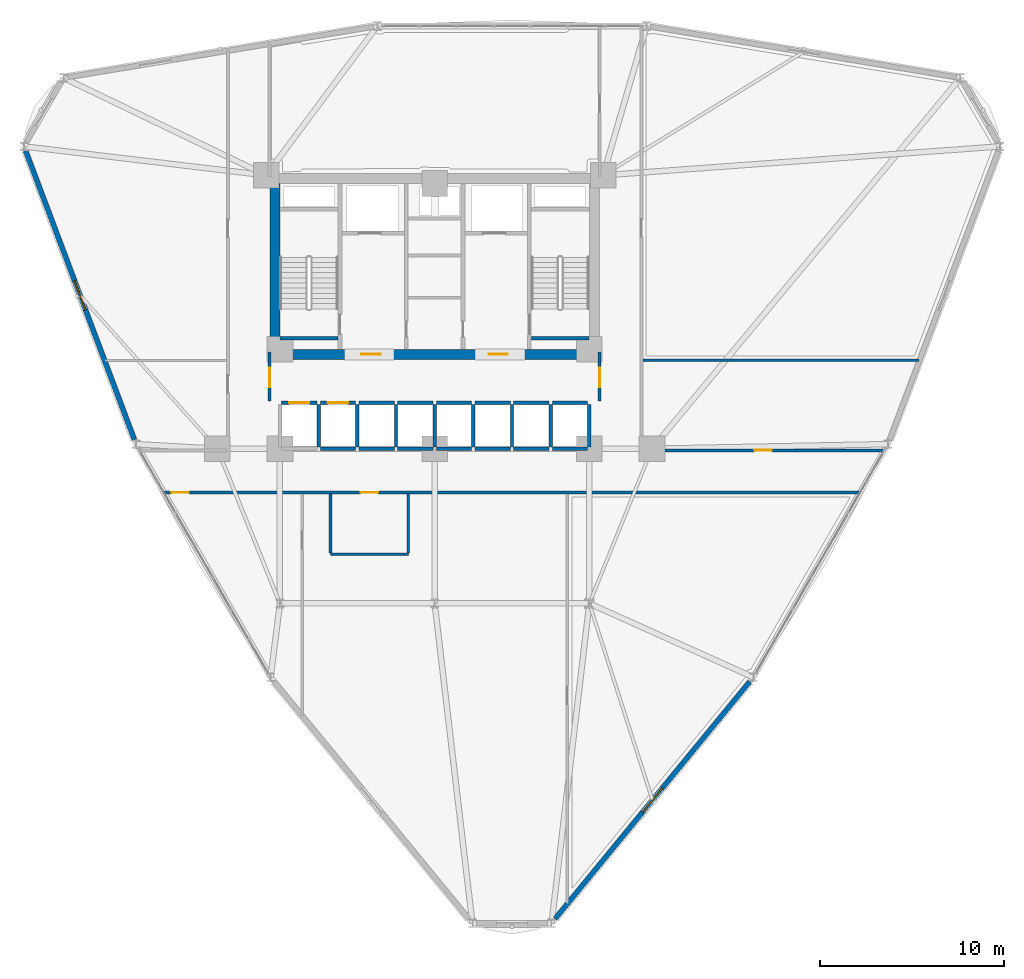
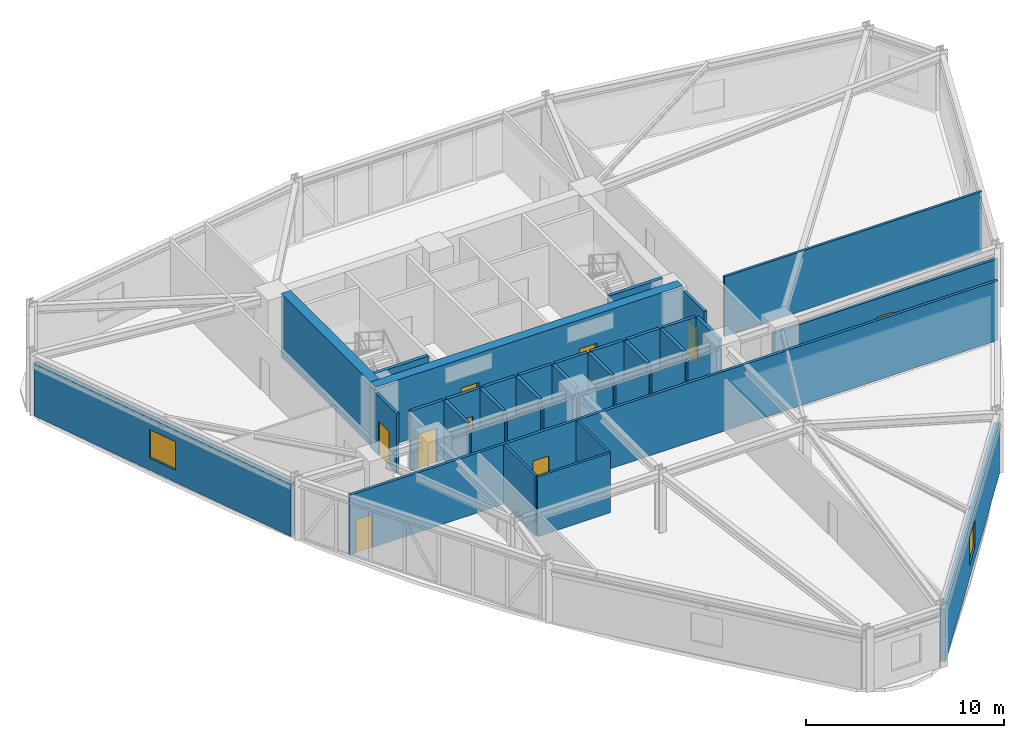
# One storey, part 14 of 20: 37 walls, 9 doors, 2 windows, 11 openings.
"""IFC4 building model written with IfcOpenShell, lengths in metres."""

from ifc_helpers import new_model, si_unit, derived_unit, direction, frame, frame_2d, origin, place, context, subcontext, project, spatial, rectangle, extrude, material, layer, layer_set, type_object, element, fill, save


model = new_model("IFC4")

# Units and contexts
model_context = context("Model", 3, precision=1e-05, world=origin(), true_north=direction((0.0, 1.0)))
body_context = subcontext(model_context, "Body", "Model", "MODEL_VIEW")
ifc_project = project(units=[si_unit("LENGTHUNIT", "METRE"), si_unit("AREAUNIT", "SQUARE_METRE"), si_unit("VOLUMEUNIT", "CUBIC_METRE"), si_unit("PLANEANGLEUNIT", "RADIAN"), si_unit("MASSUNIT", "GRAM", prefix="KILO"), derived_unit("THERMALTRANSMITTANCEUNIT", [(si_unit("POWERUNIT", "WATT"), 1), (si_unit("LENGTHUNIT", "METRE"), -2), (si_unit("THERMODYNAMICTEMPERATUREUNIT", "KELVIN"), -1)])], contexts=[model_context])

# Site, building, storey
site_placement = place(None, origin())
site = spatial("IfcSite", under=ifc_project, at=site_placement, CompositionType="ELEMENT")
building_placement = place(site_placement, origin())
building = spatial("IfcBuilding", under=site, at=building_placement, Name="Korsvarv Bourse and Concert Hall", CompositionType="ELEMENT")
storey_placement = place(building_placement, frame((0.0, 0.0, 87.300048828125)))
storey = spatial("IfcBuildingStorey", under=building, at=storey_placement, Name="L21", CompositionType="ELEMENT", Elevation=87.300048828125)

# Walls
ifc_material_1 = material(Name="Concrete C50/60", Category="concrete")
ifc_layer_1 = layer(ifc_material_1, 0.3798828125)
ifc_layer_set_1 = layer_set([ifc_layer_1], Name="Concrete C50/60")
wall_type_1 = type_object("IfcWallType", Name="WL-CORE-380", PredefinedType="SHEAR", material=ifc_layer_set_1)
for number, where, z_axis, x_axis, name in (
    (1, (27.610107421875, 38.39990234375, 0.0), (0.0, 0.0, 1.0), (1.0, 0.0, 0.0), "L21 stair shaft structural wall W-L21-ST1-S"),
    (2, (41.25, 38.39990234375, 0.0), (0.0, 0.0, 1.0), (1.0, 0.0, 0.0), "L21 stair shaft structural wall W-L21-ST2-S"),
):
    element("IfcWall", number, at=place(storey_placement, frame(where, z_axis=z_axis, x_axis=x_axis)), inside=storey, type_object=wall_type_1, Name=name, PredefinedType="SHEAR", context=body_context, shape_type="SweptSolid", body=[
        extrude(rectangle(XDim=3.139892578125, YDim=0.199951171875, at=frame_2d((1.56982421875, 0.0))), origin(), (0.0, 0.0, 1.0), 3.89990234375),
    ])

# Wall, openings, doors
ifc_material_2 = material(Name="Concrete C60/75", Category="concrete")
ifc_layer_2 = layer(ifc_material_2, 0.550048828125)
ifc_layer_set_2 = layer_set([ifc_layer_2], Name="Concrete C60/75")
wall_type_2 = type_object("IfcWallType", Name="WL-CORE-550", PredefinedType="SHEAR", material=ifc_layer_set_2)
wall_1_placement = place(storey_placement, frame((27.050048828125, 37.52490234375, 0.0), z_axis=(0.0, 0.0, 1.0), x_axis=(1.0, 0.0, 0.0)))
wall_1 = element("IfcWall", 3, at=wall_1_placement, inside=storey, type_object=wall_type_2, Name="L21 South Core Shear Wall", PredefinedType="SHEAR", context=body_context, shape_type="SweptSolid", body=[
    extrude(rectangle(XDim=17.89990234375, YDim=0.550048828125, at=frame_2d((8.949951171875, 0.0))), origin(), (0.0, 0.0, 1.0), 3.89990234375),
])
opening_1_placement = place(wall_1_placement, frame((4.97509765625, 0.0, 0.0)))
opening_1 = element("IfcOpeningElement", 4, at=opening_1_placement, cuts=wall_1, Name="Opening D-01", PredefinedType="OPENING", context=body_context, shape_type="SweptSolid", body=[
    extrude(rectangle(XDim=1.050048828125, YDim=2.10009765625, at=frame_2d((0.52490234375, 1.050048828125))), frame((0.0, 0.28515625, 0.0), z_axis=(0.0, -1.0, 0.0), x_axis=(1.0, 0.0, 0.0)), (0.0, 0.0, 1.0), 0.570068359375),
])
opening_2_placement = place(wall_1_placement, frame((11.875, 0.0, 0.0)))
opening_2 = element("IfcOpeningElement", 5, at=opening_2_placement, cuts=wall_1, Name="Opening D-01", PredefinedType="OPENING", context=body_context, shape_type="SweptSolid", body=[
    extrude(rectangle(XDim=1.050048828125, YDim=2.10009765625, at=frame_2d((0.52490234375, 1.050048828125))), frame((0.0, 0.28515625, 0.0), z_axis=(0.0, -1.0, 0.0), x_axis=(1.0, 0.0, 0.0)), (0.0, 0.0, 1.0), 0.570068359375),
])
ifc_material_3 = material(Name="Steel S355 fire door", Category="steel")
door_type_1 = type_object("IfcDoorType", Name="DR-FD60", OperationType="NOTDEFINED", PredefinedType="DOOR", material=ifc_material_3)
door_1_placement = place(opening_1_placement, frame((1.050048828125, 0.0, 0.0), z_axis=(0.0, 0.0, 1.0), x_axis=(-1.0, 0.0, 0.0)))
door_1 = element("IfcDoor", 6, at=door_1_placement, inside=storey, type_object=door_type_1, Name="L21 firefighting lobby fire door DR-L21-FFLW", OperationType="SINGLE_SWING_RIGHT", OverallHeight=2.10009765625, OverallWidth=1.050048828125, PredefinedType="DOOR", context=body_context, shape_type="SweptSolid", body=[
    extrude(rectangle(XDim=1.050048828125, YDim=2.10009765625, at=frame_2d((0.52490234375, 1.050048828125))), frame((0.0, 0.02490234375, 0.0), z_axis=(0.0, -1.0, 0.0), x_axis=(1.0, 0.0, 0.0)), (0.0, 0.0, 1.0), 0.050048828125),
])
fill(opening_1, door_1)
door_2_placement = place(opening_2_placement, frame((1.050048828125, 0.0, 0.0), z_axis=(0.0, 0.0, 1.0), x_axis=(-1.0, 0.0, 0.0)))
door_2 = element("IfcDoor", 7, at=door_2_placement, inside=storey, type_object=door_type_1, Name="L21 firefighting lobby fire door DR-L21-FFLE", OperationType="SINGLE_SWING_LEFT", OverallHeight=2.10009765625, OverallWidth=1.050048828125, PredefinedType="DOOR", context=body_context, shape_type="SweptSolid", body=[
    extrude(rectangle(XDim=1.050048828125, YDim=2.10009765625, at=frame_2d((0.52490234375, 1.050048828125))), frame((0.0, 0.02490234375, 0.0), z_axis=(0.0, -1.0, 0.0), x_axis=(1.0, 0.0, 0.0)), (0.0, 0.0, 1.0), 0.050048828125),
])
fill(opening_2, door_2)

# Wall
wall_2_placement = place(storey_placement, frame((27.324951171875, 37.800048828125, 0.0), z_axis=(0.0, 0.0, 1.0), x_axis=(0.0, 1.0, 0.0)))
element("IfcWall", 8, at=wall_2_placement, inside=storey, type_object=wall_type_2, Name="L21 West Core Shear Wall", PredefinedType="SHEAR", context=body_context, shape_type="SweptSolid", body=[
    extrude(rectangle(XDim=9.0, YDim=0.550048828125, at=frame_2d((4.5, 0.0))), origin(), (0.0, 0.0, 1.0), 3.89990234375),
])

# Wall, opening, window
ifc_material_4 = material(Name="Precast concrete C45/55 with fluted terracotta pier", Category="concrete")
ifc_layer_3 = layer(ifc_material_4, 0.280029296875)
ifc_layer_set_3 = layer_set([ifc_layer_3], Name="Precast concrete C45/55 with fluted terracotta pier")
wall_type_3 = type_object("IfcWallType", Name="WL-EXT-TC2", PredefinedType="SOLIDWALL", material=ifc_layer_set_3)
wall_3_placement = place(storey_placement, frame((13.7861328125, 48.577392578125, 0.0), z_axis=(0.0, 0.0, 1.0), x_axis=(0.352279020809, -0.935895021622, 0.0)))
wall_3 = element("IfcWall", 9, at=wall_3_placement, inside=storey, type_object=wall_type_3, Name="L21 terracotta exterior wall EW-L21-B06", PredefinedType="SOLIDWALL", context=body_context, shape_type="SweptSolid", body=[
    extrude(rectangle(XDim=16.7587890625, YDim=0.280029296875, at=frame_2d((8.37939453125, 0.0))), origin(), (0.0, 0.0, 1.0), 3.22998046875),
])
opening_3_placement = place(wall_3_placement, frame((7.529541015625, 0.0, 0.75)))
opening_3 = element("IfcOpeningElement", 10, at=opening_3_placement, cuts=wall_3, Name="Opening W-01", PredefinedType="OPENING", context=body_context, shape_type="SweptSolid", body=[
    extrude(rectangle(XDim=1.699951171875, YDim=1.75, at=frame_2d((0.85009765625, 0.875))), frame((0.0, 0.14990234375, 0.0), z_axis=(0.0, -1.0, 0.0), x_axis=(1.0, 0.0, 0.0)), (0.0, 0.0, 1.0), 0.300048828125),
])
ifc_material_5 = material(Name="Thermally broken aluminium frame with triple low-E glass", Category="glass")
window_type = type_object("IfcWindowType", Name="WIN-TW1", PartitioningType="SINGLE_PANEL", PredefinedType="WINDOW", material=ifc_material_5)
window_1_placement = place(opening_3_placement, origin())
window_1 = element("IfcWindow", 11, at=window_1_placement, inside=storey, type_object=window_type, Name="L21 punched facade window W-01", OverallHeight=1.75, OverallWidth=1.699951171875, PartitioningType="SINGLE_PANEL", PredefinedType="WINDOW", context=body_context, shape_type="SweptSolid", body=[
    extrude(rectangle(XDim=1.699951171875, YDim=1.75, at=frame_2d((0.85009765625, 0.875))), frame((0.0, 0.030029296875, 0.0), z_axis=(0.0, -1.0, 0.0), x_axis=(1.0, 0.0, 0.0)), (0.0, 0.0, 1.0), 0.06005859375),
])
fill(opening_3, window_1)

wall_4_placement = place(storey_placement, frame((42.549072265625, 6.87841796875, 0.0), z_axis=(0.0, 0.0, 1.0), x_axis=(0.634372560511, 0.77302746036, 0.0)))
wall_4 = element("IfcWall", 12, at=wall_4_placement, inside=storey, type_object=wall_type_3, Name="L21 terracotta exterior wall EW-L21-B10", PredefinedType="SOLIDWALL", context=body_context, shape_type="SweptSolid", body=[
    extrude(rectangle(XDim=16.64990234375, YDim=0.280029296875, at=frame_2d((8.324951171875, 0.0))), origin(), (0.0, 0.0, 1.0), 3.22998046875),
])
opening_4_placement = place(wall_4_placement, frame((7.47509765625, 0.0, 0.75)))
opening_4 = element("IfcOpeningElement", 13, at=opening_4_placement, cuts=wall_4, Name="Opening W-01", PredefinedType="OPENING", context=body_context, shape_type="SweptSolid", body=[
    extrude(rectangle(XDim=1.699951171875, YDim=1.75, at=frame_2d((0.85009765625, 0.875))), frame((0.0, 0.14990234375, 0.0), z_axis=(0.0, -1.0, 0.0), x_axis=(1.0, 0.0, 0.0)), (0.0, 0.0, 1.0), 0.300048828125),
])
window_2_placement = place(opening_4_placement, origin())
window_2 = element("IfcWindow", 14, at=window_2_placement, inside=storey, type_object=window_type, Name="L21 punched facade window W-01", OverallHeight=1.75, OverallWidth=1.699951171875, PartitioningType="SINGLE_PANEL", PredefinedType="WINDOW", context=body_context, shape_type="SweptSolid", body=[
    extrude(rectangle(XDim=1.699951171875, YDim=1.75, at=frame_2d((0.85009765625, 0.875))), frame((0.0, 0.030029296875, 0.0), z_axis=(0.0, -1.0, 0.0), x_axis=(1.0, 0.0, 0.0)), (0.0, 0.0, 1.0), 0.06005859375),
])
fill(opening_4, window_2)

# Wall, opening, door
ifc_material_6 = material(Name="Double-stud fire-rated acoustic partition", Category="gypsum")
ifc_layer_4 = layer(ifc_material_6, 0.159912109375)
ifc_layer_set_4 = layer_set([ifc_layer_4], Name="Double-stud fire-rated acoustic partition")
wall_type_4 = type_object("IfcWallType", Name="WL-INT-EI60", PredefinedType="PARTITIONING", material=ifc_layer_set_4)
wall_5_placement = place(storey_placement, frame((27.0400390625, 35.0, 0.0), z_axis=(0.0, 0.0, 1.0), x_axis=(0.0, 1.0, 0.0)))
wall_5 = element("IfcWall", 15, at=wall_5_placement, inside=storey, type_object=wall_type_4, Name="L21 interior partition wall W-L21-LOB-W", PredefinedType="PARTITIONING", context=body_context, shape_type="SweptSolid", body=[
    extrude(rectangle(XDim=2.64990234375, YDim=0.159912109375, at=frame_2d((1.324951171875, 0.0))), origin(), (0.0, 0.0, 1.0), 3.679931640625),
])
opening_5_placement = place(wall_5_placement, frame((0.75, 0.0, 0.0)))
opening_5 = element("IfcOpeningElement", 16, at=opening_5_placement, cuts=wall_5, Name="Opening D-01", PredefinedType="OPENING", context=body_context, shape_type="SweptSolid", body=[
    extrude(rectangle(XDim=1.050048828125, YDim=2.10009765625, at=frame_2d((0.52490234375, 1.050048828125))), frame((0.0, 0.08984375, 0.0), z_axis=(0.0, -1.0, 0.0), x_axis=(1.0, 0.0, 0.0)), (0.0, 0.0, 1.0), 0.179931640625),
])
door_3_placement = place(opening_5_placement, frame((1.050048828125, 0.0, 0.0), z_axis=(0.0, 0.0, 1.0), x_axis=(-1.0, 0.0, 0.0)))
door_3 = element("IfcDoor", 17, at=door_3_placement, inside=storey, type_object=door_type_1, Name="L21 interior door DR-L21-LOBW", OperationType="SINGLE_SWING_LEFT", OverallHeight=2.10009765625, OverallWidth=1.050048828125, PredefinedType="DOOR", context=body_context, shape_type="SweptSolid", body=[
    extrude(rectangle(XDim=1.050048828125, YDim=2.10009765625, at=frame_2d((0.52490234375, 1.050048828125))), frame((0.0, 0.02490234375, 0.0), z_axis=(0.0, -1.0, 0.0), x_axis=(1.0, 0.0, 0.0)), (0.0, 0.0, 1.0), 0.050048828125),
])
fill(opening_5, door_3)

wall_6_placement = place(storey_placement, frame((44.9599609375, 35.0, 0.0), z_axis=(0.0, 0.0, 1.0), x_axis=(0.0, 1.0, 0.0)))
wall_6 = element("IfcWall", 18, at=wall_6_placement, inside=storey, type_object=wall_type_4, Name="L21 interior partition wall W-L21-LOB-E", PredefinedType="PARTITIONING", context=body_context, shape_type="SweptSolid", body=[
    extrude(rectangle(XDim=2.64990234375, YDim=0.159912109375, at=frame_2d((1.324951171875, 0.0))), origin(), (0.0, 0.0, 1.0), 3.679931640625),
])
opening_6_placement = place(wall_6_placement, frame((0.75, 0.0, 0.0)))
opening_6 = element("IfcOpeningElement", 19, at=opening_6_placement, cuts=wall_6, Name="Opening D-01", PredefinedType="OPENING", context=body_context, shape_type="SweptSolid", body=[
    extrude(rectangle(XDim=1.050048828125, YDim=2.10009765625, at=frame_2d((0.52490234375, 1.050048828125))), frame((0.0, 0.08984375, 0.0), z_axis=(0.0, -1.0, 0.0), x_axis=(1.0, 0.0, 0.0)), (0.0, 0.0, 1.0), 0.179931640625),
])
door_4_placement = place(opening_6_placement, origin())
door_4 = element("IfcDoor", 20, at=door_4_placement, inside=storey, type_object=door_type_1, Name="L21 interior door DR-L21-LOBE", OperationType="SINGLE_SWING_RIGHT", OverallHeight=2.10009765625, OverallWidth=1.050048828125, PredefinedType="DOOR", context=body_context, shape_type="SweptSolid", body=[
    extrude(rectangle(XDim=1.050048828125, YDim=2.10009765625, at=frame_2d((0.52490234375, 1.050048828125))), frame((0.0, 0.02490234375, 0.0), z_axis=(0.0, -1.0, 0.0), x_axis=(1.0, 0.0, 0.0)), (0.0, 0.0, 1.0), 0.050048828125),
])
fill(opening_6, door_4)

# Wall, openings, doors
wall_7_placement = place(storey_placement, frame((21.317138671875, 30.02490234375, 0.0), z_axis=(0.0, 0.0, 1.0), x_axis=(1.0, 0.0, 0.0)))
wall_7 = element("IfcWall", 21, at=wall_7_placement, inside=storey, type_object=wall_type_4, Name="L21 interior partition wall W-L21-TCOR-01", PredefinedType="PARTITIONING", context=body_context, shape_type="SweptSolid", body=[
    extrude(rectangle(XDim=37.765625, YDim=0.159912109375, at=frame_2d((18.8828125, 0.0))), origin(), (0.0, 0.0, 1.0), 3.679931640625),
])
opening_7_placement = place(wall_7_placement, frame((10.667724609375, 0.0, 0.0)))
opening_7 = element("IfcOpeningElement", 22, at=opening_7_placement, cuts=wall_7, Name="Opening D-02", PredefinedType="OPENING", context=body_context, shape_type="SweptSolid", body=[
    extrude(rectangle(XDim=0.949951171875, YDim=2.050048828125, at=frame_2d((0.47509765625, 1.02490234375))), frame((0.0, 0.08984375, 0.0), z_axis=(0.0, -1.0, 0.0), x_axis=(1.0, 0.0, 0.0)), (0.0, 0.0, 1.0), 0.179931640625),
])
opening_8_placement = place(wall_7_placement, frame((0.3798828125, 0.0, 0.0)))
opening_8 = element("IfcOpeningElement", 23, at=opening_8_placement, cuts=wall_7, Name="Opening D-02", PredefinedType="OPENING", context=body_context, shape_type="SweptSolid", body=[
    extrude(rectangle(XDim=0.949951171875, YDim=2.050048828125, at=frame_2d((0.47509765625, 1.02490234375))), frame((0.0, 0.08984375, 0.0), z_axis=(0.0, -1.0, 0.0), x_axis=(1.0, 0.0, 0.0)), (0.0, 0.0, 1.0), 0.179931640625),
])
ifc_material_7 = material(Name="Timber and steel acoustic fire door", Category="wood")
door_type_2 = type_object("IfcDoorType", Name="DR-FD30", OperationType="NOTDEFINED", PredefinedType="DOOR", material=ifc_material_7)
door_5_placement = place(opening_7_placement, origin())
door_5 = element("IfcDoor", 24, at=door_5_placement, inside=storey, type_object=door_type_2, Name="L21 interior door DR-L21-TCOR-RWC", OperationType="SINGLE_SWING_LEFT", OverallHeight=2.050048828125, OverallWidth=0.949951171875, PredefinedType="DOOR", context=body_context, shape_type="SweptSolid", body=[
    extrude(rectangle(XDim=0.949951171875, YDim=2.050048828125, at=frame_2d((0.47509765625, 1.02490234375))), frame((0.0, 0.02490234375, 0.0), z_axis=(0.0, -1.0, 0.0), x_axis=(1.0, 0.0, 0.0)), (0.0, 0.0, 1.0), 0.050048828125),
])
fill(opening_7, door_5)
door_6_placement = place(opening_8_placement, origin())
door_6 = element("IfcDoor", 25, at=door_6_placement, inside=storey, type_object=door_type_2, Name="L21 interior door DR-L21-TCOR-R023", OperationType="SINGLE_SWING_RIGHT", OverallHeight=2.050048828125, OverallWidth=0.949951171875, PredefinedType="DOOR", context=body_context, shape_type="SweptSolid", body=[
    extrude(rectangle(XDim=0.949951171875, YDim=2.050048828125, at=frame_2d((0.47509765625, 1.02490234375))), frame((0.0, 0.02490234375, 0.0), z_axis=(0.0, -1.0, 0.0), x_axis=(1.0, 0.0, 0.0)), (0.0, 0.0, 1.0), 0.050048828125),
])
fill(opening_8, door_6)

# Wall, opening, door
wall_8_placement = place(storey_placement, frame((47.306884765625, 32.31494140625, 0.0), z_axis=(0.0, 0.0, 1.0), x_axis=(1.0, 0.0, 0.0)))
wall_8 = element("IfcWall", 26, at=wall_8_placement, inside=storey, type_object=wall_type_4, Name="L21 interior partition wall W-L21-TCOR-04", PredefinedType="PARTITIONING", context=body_context, shape_type="SweptSolid", body=[
    extrude(rectangle(XDim=13.09814453125, YDim=0.159912109375, at=frame_2d((6.549072265625, 0.0))), origin(), (0.0, 0.0, 1.0), 3.179931640625),
])
opening_9_placement = place(wall_8_placement, frame((6.059814453125, 0.0, 0.0)))
opening_9 = element("IfcOpeningElement", 27, at=opening_9_placement, cuts=wall_8, Name="Opening D-02", PredefinedType="OPENING", context=body_context, shape_type="SweptSolid", body=[
    extrude(rectangle(XDim=0.949951171875, YDim=2.050048828125, at=frame_2d((0.47509765625, 1.02490234375))), frame((0.0, 0.08984375, 0.0), z_axis=(0.0, -1.0, 0.0), x_axis=(1.0, 0.0, 0.0)), (0.0, 0.0, 1.0), 0.179931640625),
])
door_7_placement = place(opening_9_placement, origin())
door_7 = element("IfcDoor", 28, at=door_7_placement, inside=storey, type_object=door_type_2, Name="L21 interior door DR-L21-TCOR-R061", OperationType="SINGLE_SWING_RIGHT", OverallHeight=2.050048828125, OverallWidth=0.949951171875, PredefinedType="DOOR", context=body_context, shape_type="SweptSolid", body=[
    extrude(rectangle(XDim=0.949951171875, YDim=2.050048828125, at=frame_2d((0.47509765625, 1.02490234375))), frame((0.0, 0.02490234375, 0.0), z_axis=(0.0, -1.0, 0.0), x_axis=(1.0, 0.0, 0.0)), (0.0, 0.0, 1.0), 0.050048828125),
])
fill(opening_9, door_7)

ifc_material_8 = material(Name="Gypsum-clad autoclaved concrete shaft wall C30/37", Category="concrete")
ifc_layer_5 = layer(ifc_material_8, 0.179931640625)
ifc_layer_set_5 = layer_set([ifc_layer_5], Name="Gypsum-clad autoclaved concrete shaft wall C30/37")
wall_type_5 = type_object("IfcWallType", Name="WL-INT-EI90", PredefinedType="PARTITIONING", material=ifc_layer_set_5)
wall_9_placement = place(storey_placement, frame((27.68994140625, 34.89990234375, 0.0), z_axis=(0.0, 0.0, 1.0), x_axis=(1.0, 0.0, 0.0)))
wall_9 = element("IfcWall", 29, at=wall_9_placement, inside=storey, type_object=wall_type_5, Name="L21 interior partition wall W-L21-SHFN-PL1", PredefinedType="PARTITIONING", context=body_context, shape_type="SweptSolid", body=[
    extrude(rectangle(XDim=1.920166015625, YDim=0.179931640625, at=frame_2d((0.9599609375, 0.0))), origin(), (0.0, 0.0, 1.0), 3.679931640625),
])
opening_10_placement = place(wall_9_placement, frame((0.409912109375, 0.0, 0.0)))
opening_10 = element("IfcOpeningElement", 30, at=opening_10_placement, cuts=wall_9, Name="Opening LD-2", PredefinedType="OPENING", context=body_context, shape_type="SweptSolid", body=[
    extrude(rectangle(XDim=1.10009765625, YDim=2.10009765625, at=frame_2d((0.550048828125, 1.050048828125))), frame((0.0, 0.10009765625, 0.0), z_axis=(0.0, -1.0, 0.0), x_axis=(1.0, 0.0, 0.0)), (0.0, 0.0, 1.0), 0.199951171875),
])
ifc_material_9 = material(Name="Brushed stainless Steel S355 lift landing door", Category="steel")
door_type_3 = type_object("IfcDoorType", Name="DR-LIFT-P", OperationType="DOUBLE_DOOR_SLIDING", PredefinedType="DOOR", material=ifc_material_9)
door_8_placement = place(opening_10_placement, origin())
door_8 = element("IfcDoor", 31, at=door_8_placement, inside=storey, type_object=door_type_3, Name="L21 lift sliding landing door LD-L21-PL1", OperationType="DOUBLE_DOOR_SLIDING", OverallHeight=2.10009765625, OverallWidth=1.10009765625, PredefinedType="DOOR", context=body_context, shape_type="SweptSolid", body=[
    extrude(rectangle(XDim=1.10009765625, YDim=2.10009765625, at=frame_2d((0.550048828125, 1.050048828125))), frame((0.0, 0.02490234375, 0.0), z_axis=(0.0, -1.0, 0.0), x_axis=(1.0, 0.0, 0.0)), (0.0, 0.0, 1.0), 0.050048828125),
])
fill(opening_10, door_8)

wall_10_placement = place(storey_placement, frame((29.7900390625, 34.89990234375, 0.0), z_axis=(0.0, 0.0, 1.0), x_axis=(1.0, 0.0, 0.0)))
wall_10 = element("IfcWall", 32, at=wall_10_placement, inside=storey, type_object=wall_type_5, Name="L21 interior partition wall W-L21-SHFN-PL2", PredefinedType="PARTITIONING", context=body_context, shape_type="SweptSolid", body=[
    extrude(rectangle(XDim=1.919921875, YDim=0.179931640625, at=frame_2d((0.9599609375, 0.0))), origin(), (0.0, 0.0, 1.0), 3.679931640625),
])
opening_11_placement = place(wall_10_placement, frame((0.409912109375, 0.0, 0.0)))
opening_11 = element("IfcOpeningElement", 33, at=opening_11_placement, cuts=wall_10, Name="Opening LD-2", PredefinedType="OPENING", context=body_context, shape_type="SweptSolid", body=[
    extrude(rectangle(XDim=1.10009765625, YDim=2.10009765625, at=frame_2d((0.550048828125, 1.050048828125))), frame((0.0, 0.10009765625, 0.0), z_axis=(0.0, -1.0, 0.0), x_axis=(1.0, 0.0, 0.0)), (0.0, 0.0, 1.0), 0.199951171875),
])
door_9_placement = place(opening_11_placement, origin())
door_9 = element("IfcDoor", 34, at=door_9_placement, inside=storey, type_object=door_type_3, Name="L21 lift sliding landing door LD-L21-PL2", OperationType="DOUBLE_DOOR_SLIDING", OverallHeight=2.10009765625, OverallWidth=1.10009765625, PredefinedType="DOOR", context=body_context, shape_type="SweptSolid", body=[
    extrude(rectangle(XDim=1.10009765625, YDim=2.10009765625, at=frame_2d((0.550048828125, 1.050048828125))), frame((0.0, 0.02490234375, 0.0), z_axis=(0.0, -1.0, 0.0), x_axis=(1.0, 0.0, 0.0)), (0.0, 0.0, 1.0), 0.050048828125),
])
fill(opening_11, door_9)

# Walls
wall_11_placement = place(storey_placement, frame((29.7900390625, 32.39990234375, 0.0), z_axis=(0.0, 0.0, 1.0), x_axis=(1.0, 0.0, 0.0)))
element("IfcWall", 35, at=wall_11_placement, inside=storey, type_object=wall_type_5, Name="L21 interior partition wall W-L21-SHFS-PL2", PredefinedType="PARTITIONING", context=body_context, shape_type="SweptSolid", body=[
    extrude(rectangle(XDim=1.919921875, YDim=0.179931640625, at=frame_2d((0.9599609375, 0.0))), origin(), (0.0, 0.0, 1.0), 3.179931640625),
])
wall_12_placement = place(storey_placement, frame((29.699951171875, 32.489990234375, 0.0), z_axis=(0.0, 0.0, 1.0), x_axis=(0.0, 1.0, 0.0)))
element("IfcWall", 36, at=wall_12_placement, inside=storey, type_object=wall_type_5, Name="L21 interior partition wall W-L21-SHFW-PL2", PredefinedType="PARTITIONING", context=body_context, shape_type="SweptSolid", body=[
    extrude(rectangle(XDim=2.320068359375, YDim=0.179931640625, at=frame_2d((1.16015625, 0.0))), origin(), (0.0, 0.0, 1.0), 3.679931640625),
])
wall_13_placement = place(storey_placement, frame((31.889892578125, 34.89990234375, 0.0), z_axis=(0.0, 0.0, 1.0), x_axis=(1.0, 0.0, 0.0)))
element("IfcWall", 37, at=wall_13_placement, inside=storey, type_object=wall_type_5, Name="L21 interior partition wall W-L21-SHFN-PM1", PredefinedType="PARTITIONING", context=body_context, shape_type="SweptSolid", body=[
    extrude(rectangle(XDim=1.920166015625, YDim=0.179931640625, at=frame_2d((0.9599609375, 0.0))), origin(), (0.0, 0.0, 1.0), 3.679931640625),
])
wall_14_placement = place(storey_placement, frame((31.889892578125, 32.39990234375, 0.0), z_axis=(0.0, 0.0, 1.0), x_axis=(1.0, 0.0, 0.0)))
element("IfcWall", 38, at=wall_14_placement, inside=storey, type_object=wall_type_5, Name="L21 interior partition wall W-L21-SHFS-PM1", PredefinedType="PARTITIONING", context=body_context, shape_type="SweptSolid", body=[
    extrude(rectangle(XDim=1.920166015625, YDim=0.179931640625, at=frame_2d((0.9599609375, 0.0))), origin(), (0.0, 0.0, 1.0), 3.179931640625),
])
wall_15_placement = place(storey_placement, frame((31.800048828125, 32.489990234375, 0.0), z_axis=(0.0, 0.0, 1.0), x_axis=(0.0, 1.0, 0.0)))
element("IfcWall", 39, at=wall_15_placement, inside=storey, type_object=wall_type_5, Name="L21 interior partition wall W-L21-SHFW-PM1", PredefinedType="PARTITIONING", context=body_context, shape_type="SweptSolid", body=[
    extrude(rectangle(XDim=2.320068359375, YDim=0.179931640625, at=frame_2d((1.16015625, 0.0))), origin(), (0.0, 0.0, 1.0), 3.679931640625),
])
wall_16_placement = place(storey_placement, frame((33.989990234375, 34.89990234375, 0.0), z_axis=(0.0, 0.0, 1.0), x_axis=(1.0, 0.0, 0.0)))
element("IfcWall", 40, at=wall_16_placement, inside=storey, type_object=wall_type_5, Name="L21 interior partition wall W-L21-SHFN-PM2", PredefinedType="PARTITIONING", context=body_context, shape_type="SweptSolid", body=[
    extrude(rectangle(XDim=1.919921875, YDim=0.179931640625, at=frame_2d((0.9599609375, 0.0))), origin(), (0.0, 0.0, 1.0), 3.679931640625),
])
wall_17_placement = place(storey_placement, frame((33.989990234375, 32.39990234375, 0.0), z_axis=(0.0, 0.0, 1.0), x_axis=(1.0, 0.0, 0.0)))
element("IfcWall", 41, at=wall_17_placement, inside=storey, type_object=wall_type_5, Name="L21 interior partition wall W-L21-SHFS-PM2", PredefinedType="PARTITIONING", context=body_context, shape_type="SweptSolid", body=[
    extrude(rectangle(XDim=1.919921875, YDim=0.179931640625, at=frame_2d((0.9599609375, 0.0))), origin(), (0.0, 0.0, 1.0), 3.179931640625),
])
wall_18_placement = place(storey_placement, frame((33.89990234375, 32.489990234375, 0.0), z_axis=(0.0, 0.0, 1.0), x_axis=(0.0, 1.0, 0.0)))
element("IfcWall", 42, at=wall_18_placement, inside=storey, type_object=wall_type_5, Name="L21 interior partition wall W-L21-SHFW-PM2", PredefinedType="PARTITIONING", context=body_context, shape_type="SweptSolid", body=[
    extrude(rectangle(XDim=2.320068359375, YDim=0.179931640625, at=frame_2d((1.16015625, 0.0))), origin(), (0.0, 0.0, 1.0), 3.679931640625),
])
wall_19_placement = place(storey_placement, frame((36.090087890625, 34.89990234375, 0.0), z_axis=(0.0, 0.0, 1.0), x_axis=(1.0, 0.0, 0.0)))
element("IfcWall", 43, at=wall_19_placement, inside=storey, type_object=wall_type_5, Name="L21 interior partition wall W-L21-SHFN-PH1", PredefinedType="PARTITIONING", context=body_context, shape_type="SweptSolid", body=[
    extrude(rectangle(XDim=1.919921875, YDim=0.179931640625, at=frame_2d((0.9599609375, 0.0))), origin(), (0.0, 0.0, 1.0), 3.679931640625),
])
wall_20_placement = place(storey_placement, frame((36.090087890625, 32.39990234375, 0.0), z_axis=(0.0, 0.0, 1.0), x_axis=(1.0, 0.0, 0.0)))
element("IfcWall", 44, at=wall_20_placement, inside=storey, type_object=wall_type_5, Name="L21 interior partition wall W-L21-SHFS-PH1", PredefinedType="PARTITIONING", context=body_context, shape_type="SweptSolid", body=[
    extrude(rectangle(XDim=1.919921875, YDim=0.179931640625, at=frame_2d((0.9599609375, 0.0))), origin(), (0.0, 0.0, 1.0), 3.179931640625),
])
wall_21_placement = place(storey_placement, frame((36.0, 32.489990234375, 0.0), z_axis=(0.0, 0.0, 1.0), x_axis=(0.0, 1.0, 0.0)))
element("IfcWall", 45, at=wall_21_placement, inside=storey, type_object=wall_type_5, Name="L21 interior partition wall W-L21-SHFW-PH1", PredefinedType="PARTITIONING", context=body_context, shape_type="SweptSolid", body=[
    extrude(rectangle(XDim=2.320068359375, YDim=0.179931640625, at=frame_2d((1.16015625, 0.0))), origin(), (0.0, 0.0, 1.0), 3.679931640625),
])
wall_22_placement = place(storey_placement, frame((38.18994140625, 34.89990234375, 0.0), z_axis=(0.0, 0.0, 1.0), x_axis=(1.0, 0.0, 0.0)))
element("IfcWall", 46, at=wall_22_placement, inside=storey, type_object=wall_type_5, Name="L21 interior partition wall W-L21-SHFN-PH2", PredefinedType="PARTITIONING", context=body_context, shape_type="SweptSolid", body=[
    extrude(rectangle(XDim=1.920166015625, YDim=0.179931640625, at=frame_2d((0.9599609375, 0.0))), origin(), (0.0, 0.0, 1.0), 3.679931640625),
])
wall_23_placement = place(storey_placement, frame((38.18994140625, 32.39990234375, 0.0), z_axis=(0.0, 0.0, 1.0), x_axis=(1.0, 0.0, 0.0)))
element("IfcWall", 47, at=wall_23_placement, inside=storey, type_object=wall_type_5, Name="L21 interior partition wall W-L21-SHFS-PH2", PredefinedType="PARTITIONING", context=body_context, shape_type="SweptSolid", body=[
    extrude(rectangle(XDim=1.920166015625, YDim=0.179931640625, at=frame_2d((0.9599609375, 0.0))), origin(), (0.0, 0.0, 1.0), 3.179931640625),
])
wall_24_placement = place(storey_placement, frame((38.10009765625, 32.489990234375, 0.0), z_axis=(0.0, 0.0, 1.0), x_axis=(0.0, 1.0, 0.0)))
element("IfcWall", 48, at=wall_24_placement, inside=storey, type_object=wall_type_5, Name="L21 interior partition wall W-L21-SHFW-PH2", PredefinedType="PARTITIONING", context=body_context, shape_type="SweptSolid", body=[
    extrude(rectangle(XDim=2.320068359375, YDim=0.179931640625, at=frame_2d((1.16015625, 0.0))), origin(), (0.0, 0.0, 1.0), 3.679931640625),
])
wall_25_placement = place(storey_placement, frame((40.2900390625, 34.89990234375, 0.0), z_axis=(0.0, 0.0, 1.0), x_axis=(1.0, 0.0, 0.0)))
element("IfcWall", 49, at=wall_25_placement, inside=storey, type_object=wall_type_5, Name="L21 interior partition wall W-L21-SHFN-PO1", PredefinedType="PARTITIONING", context=body_context, shape_type="SweptSolid", body=[
    extrude(rectangle(XDim=1.919921875, YDim=0.179931640625, at=frame_2d((0.9599609375, 0.0))), origin(), (0.0, 0.0, 1.0), 3.679931640625),
])
wall_26_placement = place(storey_placement, frame((40.2900390625, 32.39990234375, 0.0), z_axis=(0.0, 0.0, 1.0), x_axis=(1.0, 0.0, 0.0)))
element("IfcWall", 50, at=wall_26_placement, inside=storey, type_object=wall_type_5, Name="L21 interior partition wall W-L21-SHFS-PO1", PredefinedType="PARTITIONING", context=body_context, shape_type="SweptSolid", body=[
    extrude(rectangle(XDim=1.919921875, YDim=0.179931640625, at=frame_2d((0.9599609375, 0.0))), origin(), (0.0, 0.0, 1.0), 3.179931640625),
])
wall_27_placement = place(storey_placement, frame((40.199951171875, 32.489990234375, 0.0), z_axis=(0.0, 0.0, 1.0), x_axis=(0.0, 1.0, 0.0)))
element("IfcWall", 51, at=wall_27_placement, inside=storey, type_object=wall_type_5, Name="L21 interior partition wall W-L21-SHFW-PO1", PredefinedType="PARTITIONING", context=body_context, shape_type="SweptSolid", body=[
    extrude(rectangle(XDim=2.320068359375, YDim=0.179931640625, at=frame_2d((1.16015625, 0.0))), origin(), (0.0, 0.0, 1.0), 3.679931640625),
])
wall_28_placement = place(storey_placement, frame((42.389892578125, 34.89990234375, 0.0), z_axis=(0.0, 0.0, 1.0), x_axis=(1.0, 0.0, 0.0)))
element("IfcWall", 52, at=wall_28_placement, inside=storey, type_object=wall_type_5, Name="L21 interior partition wall W-L21-SHFN-PO2", PredefinedType="PARTITIONING", context=body_context, shape_type="SweptSolid", body=[
    extrude(rectangle(XDim=1.920166015625, YDim=0.179931640625, at=frame_2d((0.9599609375, 0.0))), origin(), (0.0, 0.0, 1.0), 3.679931640625),
])
wall_29_placement = place(storey_placement, frame((42.389892578125, 32.39990234375, 0.0), z_axis=(0.0, 0.0, 1.0), x_axis=(1.0, 0.0, 0.0)))
element("IfcWall", 53, at=wall_29_placement, inside=storey, type_object=wall_type_5, Name="L21 interior partition wall W-L21-SHFS-PO2", PredefinedType="PARTITIONING", context=body_context, shape_type="SweptSolid", body=[
    extrude(rectangle(XDim=1.920166015625, YDim=0.179931640625, at=frame_2d((0.9599609375, 0.0))), origin(), (0.0, 0.0, 1.0), 3.179931640625),
])
for number, where, z_axis, x_axis, name in (
    (54, (42.300048828125, 32.489990234375, 0.0), (0.0, 0.0, 1.0), (0.0, 1.0, 0.0), "L21 interior partition wall W-L21-SHFW-PO2"),
    (55, (44.39990234375, 32.489990234375, 0.0), (0.0, 0.0, 1.0), (0.0, 1.0, 0.0), "L21 interior partition wall W-L21-SHFE-END"),
):
    element("IfcWall", number, at=place(storey_placement, frame(where, z_axis=z_axis, x_axis=x_axis)), inside=storey, type_object=wall_type_5, Name=name, PredefinedType="PARTITIONING", context=body_context, shape_type="SweptSolid", body=[
        extrude(rectangle(XDim=2.320068359375, YDim=0.179931640625, at=frame_2d((1.16015625, 0.0))), origin(), (0.0, 0.0, 1.0), 3.679931640625),
    ])
ifc_material_10 = material(Name="Insulated steel-stud office acoustic partition", Category="gypsum")
ifc_layer_6 = layer(ifc_material_10, 0.139892578125)
ifc_layer_set_6 = layer_set([ifc_layer_6], Name="Insulated steel-stud office acoustic partition")
wall_type_6 = type_object("IfcWallType", Name="WL-INT-P1", PredefinedType="PARTITIONING", material=ifc_layer_set_6)
wall_30_placement = place(storey_placement, frame((47.306884765625, 37.205078125, 0.0), z_axis=(0.0, 0.0, 1.0), x_axis=(1.0, 0.0, 0.0)))
element("IfcWall", 56, at=wall_30_placement, inside=storey, type_object=wall_type_6, Name="L21 interior partition wall W-L21-TCOR-09", PredefinedType="PARTITIONING", context=body_context, shape_type="SweptSolid", body=[
    extrude(rectangle(XDim=15.006103515625, YDim=0.139892578125, at=frame_2d((7.5029296875, 0.0))), origin(), (0.0, 0.0, 1.0), 3.679931640625),
])
wall_31_placement = place(storey_placement, frame((30.340087890625, 26.675048828125, 0.0), z_axis=(0.0, 0.0, 1.0), x_axis=(1.0, 0.0, 0.0)))
element("IfcWall", 57, at=wall_31_placement, inside=storey, type_object=wall_type_6, Name="L21 interior partition wall W-L21-TCOR-12", PredefinedType="PARTITIONING", context=body_context, shape_type="SweptSolid", body=[
    extrude(rectangle(XDim=4.239990234375, YDim=0.139892578125, at=frame_2d((2.1201171875, 0.0))), origin(), (0.0, 0.0, 1.0), 3.679931640625),
])
for number, where, z_axis, x_axis, name in (
    (58, (34.574951171875, 26.7470703125, 0.0), (0.0, 0.0, 1.0), (0.0, 1.0, 0.0), "L21 interior partition wall W-L21-TCOR-13"),
    (59, (30.344970703125, 26.7470703125, 0.0), (0.0, 0.0, 1.0), (0.0, 1.0, 0.0), "L21 interior partition wall W-L21-TCOR-14"),
):
    element("IfcWall", number, at=place(storey_placement, frame(where, z_axis=z_axis, x_axis=x_axis)), inside=storey, type_object=wall_type_6, Name=name, PredefinedType="PARTITIONING", context=body_context, shape_type="SweptSolid", body=[
        extrude(rectangle(XDim=3.196044921875, YDim=0.139892578125, at=frame_2d((1.59814453125, 0.0))), origin(), (0.0, 0.0, 1.0), 3.679931640625),
    ])

save(model, "model.ifc")
